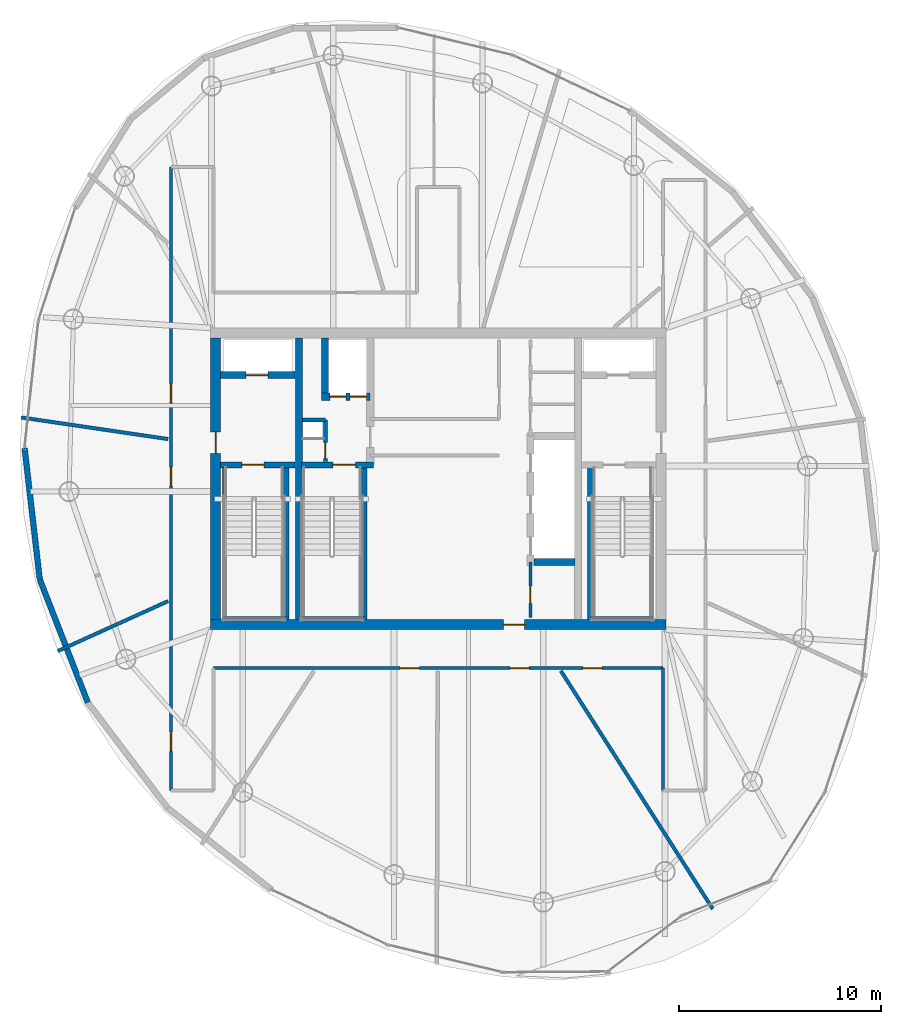
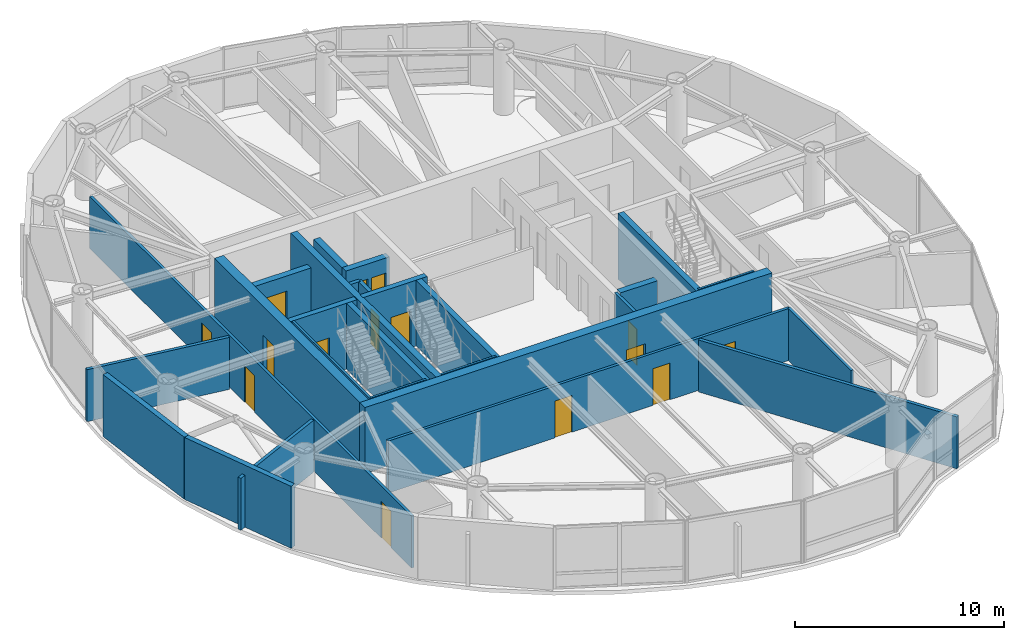
# One storey, part 15 of 20: 27 walls, 15 doors, 15 openings.
"""IFC4 building model written with IfcOpenShell, lengths in metres."""

from ifc_helpers import new_model, si_unit, direction, frame, frame_2d, origin, place, context, subcontext, project, spatial, rectangle, extrude, material, layer, layer_set, type_object, element, fill, save


model = new_model("IFC4")

# Units and contexts
model_context = context("Model", 3, precision=1e-05, world=origin(), true_north=direction((0.0, 1.0)))
body_context = subcontext(model_context, "Body", "Model", "MODEL_VIEW")
ifc_project = project(units=[si_unit("LENGTHUNIT", "METRE"), si_unit("AREAUNIT", "SQUARE_METRE"), si_unit("VOLUMEUNIT", "CUBIC_METRE"), si_unit("PLANEANGLEUNIT", "RADIAN"), si_unit("MASSUNIT", "GRAM", prefix="KILO")], contexts=[model_context])

# Site, building, storey
site_placement = place(None, origin())
site = spatial("IfcSite", under=ifc_project, at=site_placement, CompositionType="ELEMENT")
building_placement = place(site_placement, origin())
building = spatial("IfcBuilding", under=site, at=building_placement, Name="Bramvorn Convention Spire", CompositionType="ELEMENT")
storey_placement = place(building_placement, frame((0.0, 0.0, 276.699951171875)))
storey = spatial("IfcBuildingStorey", under=building, at=storey_placement, Name="L70", CompositionType="ELEMENT", Elevation=276.699951171875)

# Wall, opening, door
ifc_material_1 = material(Name="Concrete C50/60", Category="concrete")
ifc_layer_1 = layer(ifc_material_1, 0.5)
ifc_layer_set_1 = layer_set([ifc_layer_1], Name="Concrete C50/60 - WL-CORE-500")
wall_type_1 = type_object("IfcWallType", Name="WL-CORE-500", PredefinedType="SHEAR", material=ifc_layer_set_1)
wall_1_placement = place(storey_placement, frame((26.75, 18.800048828125, 0.0), z_axis=(0.0, 0.0, 1.0), x_axis=(1.0, 0.0, 0.0)))
wall_1 = element("IfcWall", 1, at=wall_1_placement, inside=storey, type_object=wall_type_1, Name="L70 South RC core shear wall", PredefinedType="SHEAR", context=body_context, shape_type="SweptSolid", body=[
    extrude(rectangle(XDim=22.5, YDim=0.5, at=frame_2d((11.25, 0.0))), origin(), (0.0, 0.0, 1.0), 3.85009765625),
])
opening_1_placement = place(wall_1_placement, frame((14.469970703125, 0.0, 0.0)))
opening_1 = element("IfcOpeningElement", 2, at=opening_1_placement, cuts=wall_1, Name="Opening DL-105", PredefinedType="OPENING", context=body_context, shape_type="SweptSolid", body=[
    extrude(rectangle(XDim=1.050048828125, YDim=2.14990234375, at=frame_2d((0.52490234375, 1.074951171875))), frame((0.0, 0.260009765625, 0.0), z_axis=(0.0, -1.0, 0.0), x_axis=(1.0, 0.0, 0.0)), (0.0, 0.0, 1.0), 0.52001953125),
])
ifc_material_2 = material(Name="Smoke-Sealed Fire Lobby Timber-Core Door", Category="wood")
door_type_1 = type_object("IfcDoorType", Name="DR-LOBBY-1050", OperationType="NOTDEFINED", PredefinedType="DOOR", material=ifc_material_2)
door_1_placement = place(opening_1_placement, origin())
door_1 = element("IfcDoor", 3, at=door_1_placement, inside=storey, type_object=door_type_1, Name="L70 South Lift Lobby fire door", OperationType="SINGLE_SWING_RIGHT", OverallHeight=2.14990234375, OverallWidth=1.050048828125, PredefinedType="DOOR", context=body_context, shape_type="SweptSolid", body=[
    extrude(rectangle(XDim=1.050048828125, YDim=2.14990234375, at=frame_2d((0.52490234375, 1.074951171875))), frame((0.0, 0.02490234375, 0.0), z_axis=(0.0, -1.0, 0.0), x_axis=(1.0, 0.0, 0.0)), (0.0, 0.0, 1.0), 0.050048828125),
])
fill(opening_1, door_1)

wall_2_placement = place(storey_placement, frame((27.0, 19.050048828125, 0.0), z_axis=(0.0, 0.0, 1.0), x_axis=(0.0, 1.0, 0.0)))
wall_2 = element("IfcWall", 4, at=wall_2_placement, inside=storey, type_object=wall_type_1, Name="L70 West RC core shear wall", PredefinedType="SHEAR", context=body_context, shape_type="SweptSolid", body=[
    extrude(rectangle(XDim=13.89990234375, YDim=0.5, at=frame_2d((6.949951171875, 0.0))), origin(), (0.0, 0.0, 1.0), 3.85009765625),
])
opening_2_placement = place(wall_2_placement, frame((8.199951171875, 0.0, 0.0)))
opening_2 = element("IfcOpeningElement", 5, at=opening_2_placement, cuts=wall_2, Name="Opening DL-105", PredefinedType="OPENING", context=body_context, shape_type="SweptSolid", body=[
    extrude(rectangle(XDim=1.050048828125, YDim=2.14990234375, at=frame_2d((0.52490234375, 1.074951171875))), frame((0.0, 0.260009765625, 0.0), z_axis=(0.0, -1.0, 0.0), x_axis=(1.0, 0.0, 0.0)), (0.0, 0.0, 1.0), 0.52001953125),
])
door_2_placement = place(opening_2_placement, origin())
door_2 = element("IfcDoor", 6, at=door_2_placement, inside=storey, type_object=door_type_1, Name="L70 West Firefighting Lobby corridor door", OperationType="SINGLE_SWING_RIGHT", OverallHeight=2.14990234375, OverallWidth=1.050048828125, PredefinedType="DOOR", context=body_context, shape_type="SweptSolid", body=[
    extrude(rectangle(XDim=1.050048828125, YDim=2.14990234375, at=frame_2d((0.52490234375, 1.074951171875))), frame((0.0, 0.02490234375, 0.0), z_axis=(0.0, -1.0, 0.0), x_axis=(1.0, 0.0, 0.0)), (0.0, 0.0, 1.0), 0.050048828125),
])
fill(opening_2, door_2)

# Wall
ifc_layer_2 = layer(ifc_material_1, 0.35009765625)
ifc_layer_set_2 = layer_set([ifc_layer_2], Name="Concrete C50/60 - WL-CORE-INT-350")
wall_type_2 = type_object("IfcWallType", Name="WL-CORE-INT-350", PredefinedType="SHEAR", material=ifc_layer_set_2)
wall_3_placement = place(storey_placement, frame((31.1298828125, 19.050048828125, 0.0), z_axis=(0.0, 0.0, 1.0), x_axis=(0.0, 1.0, 0.0)))
element("IfcWall", 7, at=wall_3_placement, inside=storey, type_object=wall_type_2, Name="L70 West internal core shear web", PredefinedType="SHEAR", context=body_context, shape_type="SweptSolid", body=[
    extrude(rectangle(XDim=13.89990234375, YDim=0.35009765625, at=frame_2d((6.949951171875, 0.0))), origin(), (0.0, 0.0, 1.0), 3.85009765625),
])

# Wall, opening, door
wall_4_placement = place(storey_placement, frame((27.25, 31.1201171875, 0.0), z_axis=(0.0, 0.0, 1.0), x_axis=(1.0, 0.0, 0.0)))
wall_4 = element("IfcWall", 8, at=wall_4_placement, inside=storey, type_object=wall_type_2, Name="L70 FE1 shaft front wall", PredefinedType="SHEAR", context=body_context, shape_type="SweptSolid", body=[
    extrude(rectangle(XDim=3.669921875, YDim=0.35009765625, at=frame_2d((1.8349609375, 0.0))), origin(), (0.0, 0.0, 1.0), 3.0400390625),
])
opening_3_placement = place(wall_4_placement, frame((1.25, 0.0, 0.0)))
opening_3 = element("IfcOpeningElement", 9, at=opening_3_placement, cuts=wall_4, Name="Opening LD-110", PredefinedType="OPENING", context=body_context, shape_type="SweptSolid", body=[
    extrude(rectangle(XDim=1.10009765625, YDim=2.14990234375, at=frame_2d((0.550048828125, 1.074951171875))), frame((0.0, 0.18505859375, 0.0), z_axis=(0.0, -1.0, 0.0), x_axis=(1.0, 0.0, 0.0)), (0.0, 0.0, 1.0), 0.3701171875),
])
ifc_material_3 = material(Name="Firefighting & Service Lift Sliding Landing Door", Category="steel")
door_type_2 = type_object("IfcDoorType", Name="DR-LIFT-LD-1100", OperationType="NOTDEFINED", PredefinedType="DOOR", material=ifc_material_3)
door_3_placement = place(opening_3_placement, origin())
door_3 = element("IfcDoor", 10, at=door_3_placement, inside=storey, type_object=door_type_2, Name="L70 Lift FE1 Sliding Landing Door", OperationType="SLIDING_TO_LEFT", OverallHeight=2.14990234375, OverallWidth=1.10009765625, PredefinedType="DOOR", context=body_context, shape_type="SweptSolid", body=[
    extrude(rectangle(XDim=1.10009765625, YDim=2.14990234375, at=frame_2d((0.550048828125, 1.074951171875))), frame((0.0, 0.02490234375, 0.0), z_axis=(0.0, -1.0, 0.0), x_axis=(1.0, 0.0, 0.0)), (0.0, 0.0, 1.0), 0.050048828125),
])
fill(opening_3, door_3)

# Wall, openings, doors
wall_5_placement = place(storey_placement, frame((32.22998046875, 30.050048828125, 0.0), z_axis=(0.0, 0.0, 1.0), x_axis=(1.0, 0.0, 0.0)))
wall_5 = element("IfcWall", 11, at=wall_5_placement, inside=storey, type_object=wall_type_2, Name="L70 SV1/SV2 shaft front wall", PredefinedType="SHEAR", context=body_context, shape_type="SweptSolid", body=[
    extrude(rectangle(XDim=2.409912109375, YDim=0.35009765625, at=frame_2d((1.205078125, 0.0))), origin(), (0.0, 0.0, 1.0), 3.0400390625),
])
opening_4_placement = place(wall_5_placement, frame((0.419921875, 0.0, 0.0)))
opening_4 = element("IfcOpeningElement", 12, at=opening_4_placement, cuts=wall_5, Name="Opening LD-080", PredefinedType="OPENING", context=body_context, shape_type="SweptSolid", body=[
    extrude(rectangle(XDim=0.800048828125, YDim=2.14990234375, at=frame_2d((0.39990234375, 1.074951171875))), frame((0.0, 0.18505859375, 0.0), z_axis=(0.0, -1.0, 0.0), x_axis=(1.0, 0.0, 0.0)), (0.0, 0.0, 1.0), 0.3701171875),
])
opening_5_placement = place(wall_5_placement, frame((1.419921875, 0.0, 0.0)))
opening_5 = element("IfcOpeningElement", 13, at=opening_5_placement, cuts=wall_5, Name="Opening LD-080", PredefinedType="OPENING", context=body_context, shape_type="SweptSolid", body=[
    extrude(rectangle(XDim=0.800048828125, YDim=2.14990234375, at=frame_2d((0.39990234375, 1.074951171875))), frame((0.0, 0.18505859375, 0.0), z_axis=(0.0, -1.0, 0.0), x_axis=(1.0, 0.0, 0.0)), (0.0, 0.0, 1.0), 0.3701171875),
])
ifc_material_4 = material(Name="Service Lift Bi-Parting Landing Door", Category="steel")
door_type_3 = type_object("IfcDoorType", Name="DR-LIFT-LD-800", OperationType="NOTDEFINED", PredefinedType="DOOR", material=ifc_material_4)
door_4_placement = place(opening_4_placement, origin())
door_4 = element("IfcDoor", 14, at=door_4_placement, inside=storey, type_object=door_type_3, Name="L70 Lift SV1 Sliding Landing Door", OperationType="SLIDING_TO_LEFT", OverallHeight=2.14990234375, OverallWidth=0.800048828125, PredefinedType="DOOR", context=body_context, shape_type="SweptSolid", body=[
    extrude(rectangle(XDim=0.800048828125, YDim=2.14990234375, at=frame_2d((0.39990234375, 1.074951171875))), frame((0.0, 0.02490234375, 0.0), z_axis=(0.0, -1.0, 0.0), x_axis=(1.0, 0.0, 0.0)), (0.0, 0.0, 1.0), 0.050048828125),
])
fill(opening_4, door_4)
door_5_placement = place(opening_5_placement, origin())
door_5 = element("IfcDoor", 15, at=door_5_placement, inside=storey, type_object=door_type_3, Name="L70 Lift SV2 Sliding Landing Door", OperationType="SLIDING_TO_LEFT", OverallHeight=2.14990234375, OverallWidth=0.800048828125, PredefinedType="DOOR", context=body_context, shape_type="SweptSolid", body=[
    extrude(rectangle(XDim=0.800048828125, YDim=2.14990234375, at=frame_2d((0.39990234375, 1.074951171875))), frame((0.0, 0.02490234375, 0.0), z_axis=(0.0, -1.0, 0.0), x_axis=(1.0, 0.0, 0.0)), (0.0, 0.0, 1.0), 0.050048828125),
])
fill(opening_5, door_5)

# Walls
wall_6_placement = place(storey_placement, frame((32.39990234375, 30.219970703125, 0.0), z_axis=(0.0, 0.0, 1.0), x_axis=(0.0, 1.0, 0.0)))
element("IfcWall", 16, at=wall_6_placement, inside=storey, type_object=wall_type_2, Name="L70 SV1 west hoistway wall", PredefinedType="SHEAR", context=body_context, shape_type="SweptSolid", body=[
    extrude(rectangle(XDim=2.72998046875, YDim=0.35009765625, at=frame_2d((1.364990234375, 0.0))), origin(), (0.0, 0.0, 1.0), 3.0400390625),
])
wall_7_placement = place(storey_placement, frame((42.719970703125, 21.89990234375, 0.0), z_axis=(0.0, 0.0, 1.0), x_axis=(1.0, 0.0, 0.0)))
element("IfcWall", 17, at=wall_7_placement, inside=storey, type_object=wall_type_2, Name="L70 High-rise lift bank south wall", PredefinedType="SHEAR", context=body_context, shape_type="SweptSolid", body=[
    extrude(rectangle(XDim=2.030029296875, YDim=0.35009765625, at=frame_2d((1.01513671875, 0.0))), origin(), (0.0, 0.0, 1.0), 3.0400390625),
])
ifc_material_5 = material(Name="Precast Concrete C40/50 with Bronze Terracotta Rainscreen", Category="masonry")
ifc_layer_3 = layer(ifc_material_5, 0.300048828125)
ifc_layer_set_3 = layer_set([ifc_layer_3], Name="Precast Concrete C40/50 with Bronze Terracotta Rainscreen - WL-EXT-BRONZE-300")
wall_type_3 = type_object("IfcWallType", Name="WL-EXT-BRONZE-300", PredefinedType="SOLIDWALL", material=ifc_layer_set_3)
wall_8_placement = place(storey_placement, frame((18.319091796875, 21.032470703125, 0.0), z_axis=(0.0, 0.0, 1.0), x_axis=(-0.114811538643, 0.993387291339, 0.0)))
element("IfcWall", 18, at=wall_8_placement, inside=storey, type_object=wall_type_3, Name="L70 expressed bronze Gothic lancet pier wall 17", PredefinedType="SOLIDWALL", context=body_context, shape_type="SweptSolid", body=[
    extrude(rectangle(XDim=6.526123046875, YDim=0.280029296875, at=frame_2d((3.26318359375, 0.0))), origin(), (0.0, 0.0, 1.0), 3.625),
])
wall_9_placement = place(storey_placement, frame((20.69189453125, 14.9521484375, 0.0), z_axis=(0.0, 0.0, 1.0), x_axis=(-0.363541693905, 0.931577928459, 0.0)))
element("IfcWall", 19, at=wall_9_placement, inside=storey, type_object=wall_type_3, Name="L70 expressed bronze Gothic lancet pier wall 18", PredefinedType="SOLIDWALL", context=body_context, shape_type="SweptSolid", body=[
    extrude(rectangle(XDim=6.52685546875, YDim=0.280029296875, at=frame_2d((3.263427734375, 0.0))), origin(), (0.0, 0.0, 1.0), 3.625),
])

# Wall, opening, door
ifc_material_6 = material(Name="Acoustic Metal-Stud Tenant/Corridor Partition", Category="gypsum")
ifc_layer_4 = layer(ifc_material_6, 0.14990234375)
ifc_layer_set_4 = layer_set([ifc_layer_4], Name="Acoustic Metal-Stud Tenant/Corridor Partition - WL-PART-150")
wall_type_4 = type_object("IfcWallType", Name="WL-PART-150", PredefinedType="PARTITIONING", material=ifc_layer_set_4)
wall_10_placement = place(storey_placement, frame((42.550048828125, 19.14990234375, 0.0), z_axis=(0.0, 0.0, 1.0), x_axis=(0.0, 1.0, 0.0)))
wall_10 = element("IfcWall", 20, at=wall_10_placement, inside=storey, type_object=wall_type_4, Name="L70 KC SE wall", PredefinedType="PARTITIONING", context=body_context, shape_type="SweptSolid", body=[
    extrude(rectangle(XDim=2.75, YDim=0.14990234375, at=frame_2d((1.375, 0.0))), origin(), (0.0, 0.0, 1.0), 3.0400390625),
])
opening_6_placement = place(wall_10_placement, frame((0.699951171875, 0.0, 0.0)))
opening_6 = element("IfcOpeningElement", 21, at=opening_6_placement, cuts=wall_10, Name="Opening DC-085", PredefinedType="OPENING", context=body_context, shape_type="SweptSolid", body=[
    extrude(rectangle(XDim=0.85009765625, YDim=2.10009765625, at=frame_2d((0.425048828125, 1.050048828125))), frame((0.0, 0.0849609375, 0.0), z_axis=(0.0, -1.0, 0.0), x_axis=(1.0, 0.0, 0.0)), (0.0, 0.0, 1.0), 0.169921875),
])
ifc_material_7 = material(Name="Fire-Rated Core Washroom & IDF Door", Category="wood")
door_type_4 = type_object("IfcDoorType", Name="DR-CORE-850", OperationType="NOTDEFINED", PredefinedType="DOOR", material=ifc_material_7)
door_6_placement = place(opening_6_placement, origin())
door_6 = element("IfcDoor", 22, at=door_6_placement, inside=storey, type_object=door_type_4, Name="L70 Core Valve & Riser Room door", OperationType="SINGLE_SWING_LEFT", OverallHeight=2.10009765625, OverallWidth=0.85009765625, PredefinedType="DOOR", context=body_context, shape_type="SweptSolid", body=[
    extrude(rectangle(XDim=0.85009765625, YDim=2.10009765625, at=frame_2d((0.425048828125, 1.050048828125))), frame((0.0, 0.02490234375, 0.0), z_axis=(0.0, -1.0, 0.0), x_axis=(1.0, 0.0, 0.0)), (0.0, 0.0, 1.0), 0.050048828125),
])
fill(opening_6, door_6)

# Wall, openings, doors
wall_11_placement = place(storey_placement, frame((26.89990234375, 16.64990234375, 0.0), z_axis=(0.0, 0.0, 1.0), x_axis=(1.0, 0.0, 0.0)))
wall_11 = element("IfcWall", 23, at=wall_11_placement, inside=storey, type_object=wall_type_4, Name="L70 South H-crossbar wall", PredefinedType="PARTITIONING", context=body_context, shape_type="SweptSolid", body=[
    extrude(rectangle(XDim=22.2001953125, YDim=0.14990234375, at=frame_2d((11.10009765625, 0.0))), origin(), (0.0, 0.0, 1.0), 3.0400390625),
])
opening_7_placement = place(wall_11_placement, frame((9.216796875, 0.0, 0.0)))
opening_7 = element("IfcOpeningElement", 24, at=opening_7_placement, cuts=wall_11, Name="Opening DH-095", PredefinedType="OPENING", context=body_context, shape_type="SweptSolid", body=[
    extrude(rectangle(XDim=0.949951171875, YDim=2.14990234375, at=frame_2d((0.47509765625, 1.074951171875))), frame((0.0, 0.0849609375, 0.0), z_axis=(0.0, -1.0, 0.0), x_axis=(1.0, 0.0, 0.0)), (0.0, 0.0, 1.0), 0.169921875),
])
opening_8_placement = place(wall_11_placement, frame((14.635986328125, 0.0, 0.0)))
opening_8 = element("IfcOpeningElement", 25, at=opening_8_placement, cuts=wall_11, Name="Opening DH-095", PredefinedType="OPENING", context=body_context, shape_type="SweptSolid", body=[
    extrude(rectangle(XDim=0.949951171875, YDim=2.14990234375, at=frame_2d((0.47509765625, 1.074951171875))), frame((0.0, 0.0849609375, 0.0), z_axis=(0.0, -1.0, 0.0), x_axis=(1.0, 0.0, 0.0)), (0.0, 0.0, 1.0), 0.169921875),
])
opening_9_placement = place(wall_11_placement, frame((18.24560546875, 0.0, 0.0)))
opening_9 = element("IfcOpeningElement", 26, at=opening_9_placement, cuts=wall_11, Name="Opening DH-095", PredefinedType="OPENING", context=body_context, shape_type="SweptSolid", body=[
    extrude(rectangle(XDim=0.949951171875, YDim=2.14990234375, at=frame_2d((0.47509765625, 1.074951171875))), frame((0.0, 0.0849609375, 0.0), z_axis=(0.0, -1.0, 0.0), x_axis=(1.0, 0.0, 0.0)), (0.0, 0.0, 1.0), 0.169921875),
])
ifc_material_8 = material(Name="Solid-Core Acoustic Guestroom Entry Door", Category="wood")
door_type_5 = type_object("IfcDoorType", Name="DR-HOTEL-950", OperationType="NOTDEFINED", PredefinedType="DOOR", material=ifc_material_8)
door_7_placement = place(opening_7_placement, origin())
door_7 = element("IfcDoor", 27, at=door_7_placement, inside=storey, type_object=door_type_5, Name="L70 Refreshment Kitchen 8 door", OperationType="SINGLE_SWING_RIGHT", OverallHeight=2.14990234375, OverallWidth=0.949951171875, PredefinedType="DOOR", context=body_context, shape_type="SweptSolid", body=[
    extrude(rectangle(XDim=0.949951171875, YDim=2.14990234375, at=frame_2d((0.47509765625, 1.074951171875))), frame((0.0, 0.02490234375, 0.0), z_axis=(0.0, -1.0, 0.0), x_axis=(1.0, 0.0, 0.0)), (0.0, 0.0, 1.0), 0.050048828125),
])
fill(opening_7, door_7)
door_8_placement = place(opening_8_placement, origin())
door_8 = element("IfcDoor", 28, at=door_8_placement, inside=storey, type_object=door_type_5, Name="L70 Sky Garden Lounge door", OperationType="SINGLE_SWING_RIGHT", OverallHeight=2.14990234375, OverallWidth=0.949951171875, PredefinedType="DOOR", context=body_context, shape_type="SweptSolid", body=[
    extrude(rectangle(XDim=0.949951171875, YDim=2.14990234375, at=frame_2d((0.47509765625, 1.074951171875))), frame((0.0, 0.02490234375, 0.0), z_axis=(0.0, -1.0, 0.0), x_axis=(1.0, 0.0, 0.0)), (0.0, 0.0, 1.0), 0.050048828125),
])
fill(opening_8, door_8)
door_9_placement = place(opening_9_placement, origin())
door_9 = element("IfcDoor", 29, at=door_9_placement, inside=storey, type_object=door_type_5, Name="L70 Tenant Briefing Room 10 door", OperationType="SINGLE_SWING_RIGHT", OverallHeight=2.14990234375, OverallWidth=0.949951171875, PredefinedType="DOOR", context=body_context, shape_type="SweptSolid", body=[
    extrude(rectangle(XDim=0.949951171875, YDim=2.14990234375, at=frame_2d((0.47509765625, 1.074951171875))), frame((0.0, 0.02490234375, 0.0), z_axis=(0.0, -1.0, 0.0), x_axis=(1.0, 0.0, 0.0)), (0.0, 0.0, 1.0), 0.050048828125),
])
fill(opening_9, door_9)

wall_12_placement = place(storey_placement, frame((24.800048828125, 10.60009765625, 0.0), z_axis=(0.0, 0.0, 1.0), x_axis=(0.0, 1.0, 0.0)))
wall_12 = element("IfcWall", 30, at=wall_12_placement, inside=storey, type_object=wall_type_4, Name="L70 West N-S gallery outer wall", PredefinedType="PARTITIONING", context=body_context, shape_type="SweptSolid", body=[
    extrude(rectangle(XDim=30.7998046875, YDim=0.14990234375, at=frame_2d((15.39990234375, 0.0))), origin(), (0.0, 0.0, 1.0), 3.0400390625),
])
opening_10_placement = place(wall_12_placement, frame((19.155517578125, 0.0, 0.0)))
opening_10 = element("IfcOpeningElement", 31, at=opening_10_placement, cuts=wall_12, Name="Opening DH-095", PredefinedType="OPENING", context=body_context, shape_type="SweptSolid", body=[
    extrude(rectangle(XDim=0.949951171875, YDim=2.14990234375, at=frame_2d((0.47509765625, 1.074951171875))), frame((0.0, 0.0849609375, 0.0), z_axis=(0.0, -1.0, 0.0), x_axis=(1.0, 0.0, 0.0)), (0.0, 0.0, 1.0), 0.169921875),
])
opening_11_placement = place(wall_12_placement, frame((15.03369140625, 0.0, 0.0)))
opening_11 = element("IfcOpeningElement", 32, at=opening_11_placement, cuts=wall_12, Name="Opening DH-095", PredefinedType="OPENING", context=body_context, shape_type="SweptSolid", body=[
    extrude(rectangle(XDim=0.949951171875, YDim=2.14990234375, at=frame_2d((0.47509765625, 1.074951171875))), frame((0.0, 0.0849609375, 0.0), z_axis=(0.0, -1.0, 0.0), x_axis=(1.0, 0.0, 0.0)), (0.0, 0.0, 1.0), 0.169921875),
])
opening_12_placement = place(wall_12_placement, frame((1.941162109375, 0.0, 0.0)))
opening_12 = element("IfcOpeningElement", 33, at=opening_12_placement, cuts=wall_12, Name="Opening DH-095", PredefinedType="OPENING", context=body_context, shape_type="SweptSolid", body=[
    extrude(rectangle(XDim=0.949951171875, YDim=2.14990234375, at=frame_2d((0.47509765625, 1.074951171875))), frame((0.0, 0.0849609375, 0.0), z_axis=(0.0, -1.0, 0.0), x_axis=(1.0, 0.0, 0.0)), (0.0, 0.0, 1.0), 0.169921875),
])
door_10_placement = place(opening_10_placement, origin())
door_10 = element("IfcDoor", 34, at=door_10_placement, inside=storey, type_object=door_type_5, Name="L70 Partner Private Office 2 5 door", OperationType="SINGLE_SWING_LEFT", OverallHeight=2.14990234375, OverallWidth=0.949951171875, PredefinedType="DOOR", context=body_context, shape_type="SweptSolid", body=[
    extrude(rectangle(XDim=0.949951171875, YDim=2.14990234375, at=frame_2d((0.47509765625, 1.074951171875))), frame((0.0, 0.02490234375, 0.0), z_axis=(0.0, -1.0, 0.0), x_axis=(1.0, 0.0, 0.0)), (0.0, 0.0, 1.0), 0.050048828125),
])
fill(opening_10, door_10)
door_11_placement = place(opening_11_placement, origin())
door_11 = element("IfcDoor", 35, at=door_11_placement, inside=storey, type_object=door_type_5, Name="L70 Partner Private Office 3 6 door", OperationType="SINGLE_SWING_RIGHT", OverallHeight=2.14990234375, OverallWidth=0.949951171875, PredefinedType="DOOR", context=body_context, shape_type="SweptSolid", body=[
    extrude(rectangle(XDim=0.949951171875, YDim=2.14990234375, at=frame_2d((0.47509765625, 1.074951171875))), frame((0.0, 0.02490234375, 0.0), z_axis=(0.0, -1.0, 0.0), x_axis=(1.0, 0.0, 0.0)), (0.0, 0.0, 1.0), 0.050048828125),
])
fill(opening_11, door_11)
door_12_placement = place(opening_12_placement, origin())
door_12 = element("IfcDoor", 36, at=door_12_placement, inside=storey, type_object=door_type_5, Name="L70 Team Meeting Room 7 door", OperationType="SINGLE_SWING_RIGHT", OverallHeight=2.14990234375, OverallWidth=0.949951171875, PredefinedType="DOOR", context=body_context, shape_type="SweptSolid", body=[
    extrude(rectangle(XDim=0.949951171875, YDim=2.14990234375, at=frame_2d((0.47509765625, 1.074951171875))), frame((0.0, 0.02490234375, 0.0), z_axis=(0.0, -1.0, 0.0), x_axis=(1.0, 0.0, 0.0)), (0.0, 0.0, 1.0), 0.050048828125),
])
fill(opening_12, door_12)

# Walls
wall_13_placement = place(storey_placement, frame((49.10009765625, 10.60009765625, 0.0), z_axis=(0.0, 0.0, 1.0), x_axis=(0.0, 1.0, 0.0)))
element("IfcWall", 37, at=wall_13_placement, inside=storey, type_object=wall_type_4, Name="L70 East gallery SW wall", PredefinedType="PARTITIONING", context=body_context, shape_type="SweptSolid", body=[
    extrude(rectangle(XDim=6.0498046875, YDim=0.14990234375, at=frame_2d((3.02490234375, 0.0))), origin(), (0.0, 0.0, 1.0), 3.0400390625),
])
ifc_material_9 = material(Name="Double-Stud Acoustic Hotel/Suite Partition", Category="gypsum")
ifc_layer_5 = layer(ifc_material_9, 0.175048828125)
ifc_layer_set_5 = layer_set([ifc_layer_5], Name="Double-Stud Acoustic Hotel/Suite Partition - WL-PART-175")
wall_type_5 = type_object("IfcWallType", Name="WL-PART-175", PredefinedType="PARTITIONING", material=ifc_layer_set_5)
wall_14_placement = place(storey_placement, frame((24.659912109375, 27.961181640625, 0.0), z_axis=(0.0, 0.0, 1.0), x_axis=(-0.989360966301, 0.145481539582, 0.0)))
element("IfcWall", 38, at=wall_14_placement, inside=storey, type_object=wall_type_5, Name="L70 Tenant suite partition 6", PredefinedType="PARTITIONING", context=body_context, shape_type="SweptSolid", body=[
    extrude(rectangle(XDim=7.338623046875, YDim=0.175048828125, at=frame_2d((3.66943359375, 0.0))), origin(), (0.0, 0.0, 1.0), 3.0400390625),
])
wall_15_placement = place(storey_placement, frame((24.659912109375, 19.958984375, 0.0), z_axis=(0.0, 0.0, 1.0), x_axis=(-0.910943203607, -0.412531792474, 0.0)))
element("IfcWall", 39, at=wall_15_placement, inside=storey, type_object=wall_type_5, Name="L70 Tenant suite partition 7", PredefinedType="PARTITIONING", context=body_context, shape_type="SweptSolid", body=[
    extrude(rectangle(XDim=5.99267578125, YDim=0.175048828125, at=frame_2d((2.996337890625, 0.0))), origin(), (0.0, 0.0, 1.0), 3.0400390625),
])
wall_16_placement = place(storey_placement, frame((44.056396484375, 16.510009765625, 0.0), z_axis=(0.0, 0.0, 1.0), x_axis=(0.537968724739, -0.842964798318, 0.0)))
element("IfcWall", 40, at=wall_16_placement, inside=storey, type_object=wall_type_5, Name="L70 Tenant suite partition 10", PredefinedType="PARTITIONING", context=body_context, shape_type="SweptSolid", body=[
    extrude(rectangle(XDim=13.938720703125, YDim=0.175048828125, at=frame_2d((6.96923828125, 0.0))), origin(), (0.0, 0.0, 1.0), 3.0400390625),
])

# Wall, opening, door
ifc_material_10 = material(Name="Gypsum Shaftwall & Rockwool Core Partition", Category="gypsum")
ifc_layer_6 = layer(ifc_material_10, 0.199951171875)
ifc_layer_set_6 = layer_set([ifc_layer_6], Name="Gypsum Shaftwall & Rockwool Core Partition - WL-PART-200-FR")
wall_type_6 = type_object("IfcWallType", Name="WL-PART-200-FR", PredefinedType="PARTITIONING", material=ifc_layer_set_6)
wall_17_placement = place(storey_placement, frame((32.419921875, 26.860107421875, 0.0), z_axis=(0.0, 0.0, 1.0), x_axis=(0.0, 1.0, 0.0)))
wall_17 = element("IfcWall", 41, at=wall_17_placement, inside=storey, type_object=wall_type_6, Name="L70 Telecom riser east wall", PredefinedType="PARTITIONING", context=body_context, shape_type="SweptSolid", body=[
    extrude(rectangle(XDim=2.039794921875, YDim=0.199951171875, at=frame_2d((1.02001953125, 0.0))), origin(), (0.0, 0.0, 1.0), 3.0400390625),
])
opening_13_placement = place(wall_17_placement, frame((0.139892578125, 0.0, 0.0)))
opening_13 = element("IfcOpeningElement", 42, at=opening_13_placement, cuts=wall_17, Name="Opening DR-080", PredefinedType="OPENING", context=body_context, shape_type="SweptSolid", body=[
    extrude(rectangle(XDim=0.800048828125, YDim=2.050048828125, at=frame_2d((0.39990234375, 1.02490234375))), frame((0.0, 0.10986328125, 0.0), z_axis=(0.0, -1.0, 0.0), x_axis=(1.0, 0.0, 0.0)), (0.0, 0.0, 1.0), 0.219970703125),
])
ifc_material_11 = material(Name="Flush Steel Riser Access Door", Category="steel")
door_type_6 = type_object("IfcDoorType", Name="DR-RISER-800", OperationType="NOTDEFINED", PredefinedType="DOOR", material=ifc_material_11)
door_13_placement = place(opening_13_placement, origin())
door_13 = element("IfcDoor", 43, at=door_13_placement, inside=storey, type_object=door_type_6, Name="L70 Telecom riser access door", OperationType="SINGLE_SWING_RIGHT", OverallHeight=2.050048828125, OverallWidth=0.800048828125, PredefinedType="DOOR", context=body_context, shape_type="SweptSolid", body=[
    extrude(rectangle(XDim=0.800048828125, YDim=2.050048828125, at=frame_2d((0.39990234375, 1.02490234375))), frame((0.0, 0.02490234375, 0.0), z_axis=(0.0, -1.0, 0.0), x_axis=(1.0, 0.0, 0.0)), (0.0, 0.0, 1.0), 0.050048828125),
])
fill(opening_13, door_13)

# Wall
wall_18_placement = place(storey_placement, frame((31.300048828125, 28.89990234375, 0.0), z_axis=(0.0, 0.0, 1.0), x_axis=(1.0, 0.0, 0.0)))
element("IfcWall", 44, at=wall_18_placement, inside=storey, type_object=wall_type_6, Name="L70 Telecom riser north wall", PredefinedType="PARTITIONING", context=body_context, shape_type="SweptSolid", body=[
    extrude(rectangle(XDim=1.119873046875, YDim=0.199951171875, at=frame_2d((0.56005859375, 0.0))), origin(), (0.0, 0.0, 1.0), 3.0400390625),
])

# Wall, opening, door
ifc_layer_7 = layer(ifc_material_1, 0.300048828125)
ifc_layer_set_7 = layer_set([ifc_layer_7], Name="Concrete C50/60 - WL-POD-STAIR-300")
wall_type_7 = type_object("IfcWallType", Name="WL-POD-STAIR-300", PredefinedType="SHEAR", material=ifc_layer_set_7)
wall_19_placement = place(storey_placement, frame((27.25, 26.68994140625, 0.0), z_axis=(0.0, 0.0, 1.0), x_axis=(1.0, 0.0, 0.0)))
wall_19 = element("IfcWall", 45, at=wall_19_placement, inside=storey, type_object=wall_type_7, Name="L70 ST1 north fire wall", PredefinedType="SHEAR", context=body_context, shape_type="SweptSolid", body=[
    extrude(rectangle(XDim=3.669921875, YDim=0.300048828125, at=frame_2d((1.8349609375, 0.0))), origin(), (0.0, 0.0, 1.0), 3.85009765625),
])
opening_14_placement = place(wall_19_placement, frame((1.050048828125, 0.0, 0.0)))
opening_14 = element("IfcOpeningElement", 46, at=opening_14_placement, cuts=wall_19, Name="Opening DS-110", PredefinedType="OPENING", context=body_context, shape_type="SweptSolid", body=[
    extrude(rectangle(XDim=1.10009765625, YDim=2.14990234375, at=frame_2d((0.550048828125, 1.074951171875))), frame((0.0, 0.159912109375, 0.0), z_axis=(0.0, -1.0, 0.0), x_axis=(1.0, 0.0, 0.0)), (0.0, 0.0, 1.0), 0.320068359375),
])
ifc_material_12 = material(Name="Fire-Rated Hollow Steel Stairwell Door", Category="steel")
door_type_7 = type_object("IfcDoorType", Name="DR-STAIR-1100", OperationType="NOTDEFINED", PredefinedType="DOOR", material=ifc_material_12)
door_14_placement = place(opening_14_placement, origin())
door_14 = element("IfcDoor", 47, at=door_14_placement, inside=storey, type_object=door_type_7, Name="L70 Stair ST1 fire door", OperationType="SINGLE_SWING_LEFT", OverallHeight=2.14990234375, OverallWidth=1.10009765625, PredefinedType="DOOR", context=body_context, shape_type="SweptSolid", body=[
    extrude(rectangle(XDim=1.10009765625, YDim=2.14990234375, at=frame_2d((0.550048828125, 1.074951171875))), frame((0.0, 0.02490234375, 0.0), z_axis=(0.0, -1.0, 0.0), x_axis=(1.0, 0.0, 0.0)), (0.0, 0.0, 1.0), 0.050048828125),
])
fill(opening_14, door_14)

# Walls
for number, where, z_axis, x_axis, name in (
    (48, (30.489990234375, 19.050048828125, 0.0), (0.0, 0.0, 1.0), (0.0, 1.0, 0.0), "L70 ST1 east bearing wall"),
    (49, (45.510009765625, 19.050048828125, 0.0), (0.0, 0.0, 1.0), (0.0, 1.0, 0.0), "L70 ST2 west bearing wall"),
    (50, (34.340087890625, 19.050048828125, 0.0), (0.0, 0.0, 1.0), (0.0, 1.0, 0.0), "L70 ST3 east bearing wall"),
):
    element("IfcWall", number, at=place(storey_placement, frame(where, z_axis=z_axis, x_axis=x_axis)), inside=storey, type_object=wall_type_7, Name=name, PredefinedType="SHEAR", context=body_context, shape_type="SweptSolid", body=[
        extrude(rectangle(XDim=7.5, YDim=0.300048828125, at=frame_2d((3.75, 0.0))), origin(), (0.0, 0.0, 1.0), 3.85009765625),
    ])

# Wall, opening, door
wall_20_placement = place(storey_placement, frame((31.25, 26.68994140625, 0.0), z_axis=(0.0, 0.0, 1.0), x_axis=(1.0, 0.0, 0.0)))
wall_20 = element("IfcWall", 51, at=wall_20_placement, inside=storey, type_object=wall_type_7, Name="L70 ST3 north lobby wall", PredefinedType="SHEAR", context=body_context, shape_type="SweptSolid", body=[
    extrude(rectangle(XDim=3.56005859375, YDim=0.300048828125, at=frame_2d((1.780029296875, 0.0))), origin(), (0.0, 0.0, 1.0), 3.85009765625),
])
opening_15_placement = place(wall_20_placement, frame((1.550048828125, 0.0, 0.0)))
opening_15 = element("IfcOpeningElement", 52, at=opening_15_placement, cuts=wall_20, Name="Opening DS-110", PredefinedType="OPENING", context=body_context, shape_type="SweptSolid", body=[
    extrude(rectangle(XDim=1.10009765625, YDim=2.14990234375, at=frame_2d((0.550048828125, 1.074951171875))), frame((0.0, 0.159912109375, 0.0), z_axis=(0.0, -1.0, 0.0), x_axis=(1.0, 0.0, 0.0)), (0.0, 0.0, 1.0), 0.320068359375),
])
door_15_placement = place(opening_15_placement, origin())
door_15 = element("IfcDoor", 53, at=door_15_placement, inside=storey, type_object=door_type_7, Name="L70 Stair ST3 fire door", OperationType="SINGLE_SWING_LEFT", OverallHeight=2.14990234375, OverallWidth=1.10009765625, PredefinedType="DOOR", context=body_context, shape_type="SweptSolid", body=[
    extrude(rectangle(XDim=1.10009765625, YDim=2.14990234375, at=frame_2d((0.550048828125, 1.074951171875))), frame((0.0, 0.02490234375, 0.0), z_axis=(0.0, -1.0, 0.0), x_axis=(1.0, 0.0, 0.0)), (0.0, 0.0, 1.0), 0.050048828125),
])
fill(opening_15, door_15)

# Walls
ifc_layer_8 = layer(ifc_material_1, 0.1201171875)
ifc_layer_set_8 = layer_set([ifc_layer_8], Name="Concrete C50/60 - WL-STAIR-RC-120")
wall_type_8 = type_object("IfcWallType", Name="WL-STAIR-RC-120", PredefinedType="SHEAR", material=ifc_layer_set_8)
wall_21_placement = place(storey_placement, frame((27.39501953125, 19.10009765625, 0.0), z_axis=(0.0, 0.0, 1.0), x_axis=(0.0, 1.0, 0.0)))
element("IfcWall", 54, at=wall_21_placement, inside=storey, type_object=wall_type_8, Name="L70 ST1 west bearing shear wall", PredefinedType="SHEAR", context=body_context, shape_type="SweptSolid", body=[
    extrude(rectangle(XDim=7.449951171875, YDim=0.1201171875, at=frame_2d((3.72509765625, 0.0))), origin(), (0.0, 0.0, 1.0), 3.85009765625),
])
for number, where, z_axis, x_axis, name in (
    (55, (27.39501953125, 19.159912109375, 0.0), (0.0, 0.0, 1.0), (1.0, 0.0, 0.0), "L70 ST1 south bearing shear wall"),
    (56, (45.510009765625, 19.159912109375, 0.0), (0.0, 0.0, 1.0), (1.0, 0.0, 0.0), "L70 ST2 south bearing shear wall"),
):
    element("IfcWall", number, at=place(storey_placement, frame(where, z_axis=z_axis, x_axis=x_axis)), inside=storey, type_object=wall_type_8, Name=name, PredefinedType="SHEAR", context=body_context, shape_type="SweptSolid", body=[
        extrude(rectangle(XDim=3.094970703125, YDim=0.1201171875, at=frame_2d((1.54736328125, 0.0))), origin(), (0.0, 0.0, 1.0), 3.85009765625),
    ])
wall_22_placement = place(storey_placement, frame((31.300048828125, 19.159912109375, 0.0), z_axis=(0.0, 0.0, 1.0), x_axis=(1.0, 0.0, 0.0)))
element("IfcWall", 57, at=wall_22_placement, inside=storey, type_object=wall_type_8, Name="L70 ST3 south bearing shear wall", PredefinedType="SHEAR", context=body_context, shape_type="SweptSolid", body=[
    extrude(rectangle(XDim=3.0400390625, YDim=0.1201171875, at=frame_2d((1.52001953125, 0.0))), origin(), (0.0, 0.0, 1.0), 3.85009765625),
])

save(model, "model.ifc")
